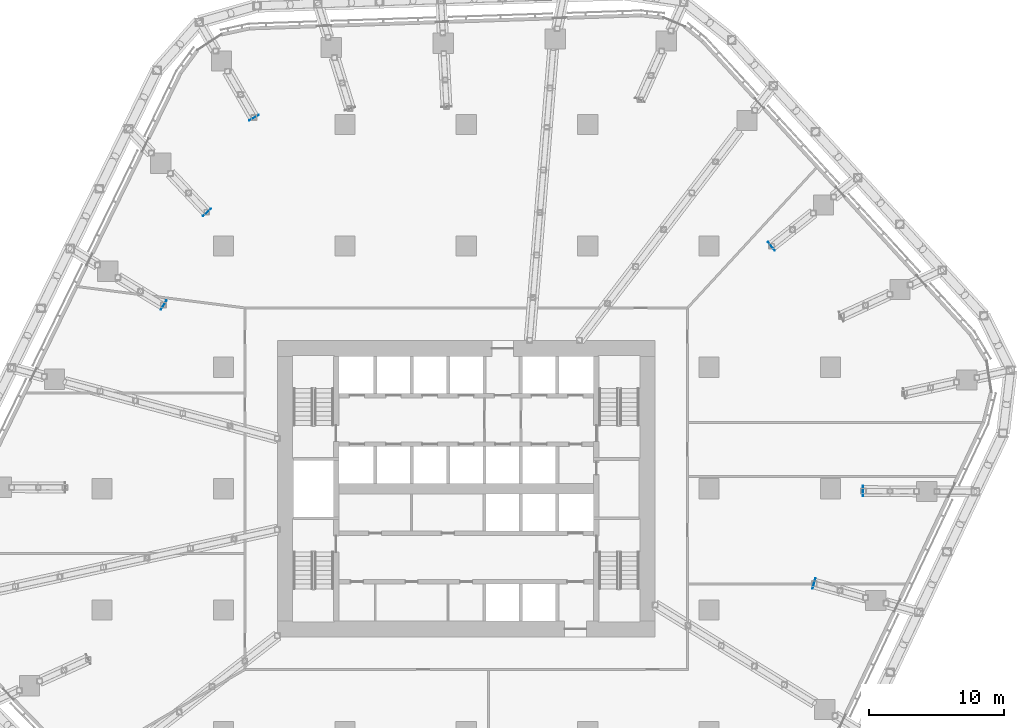
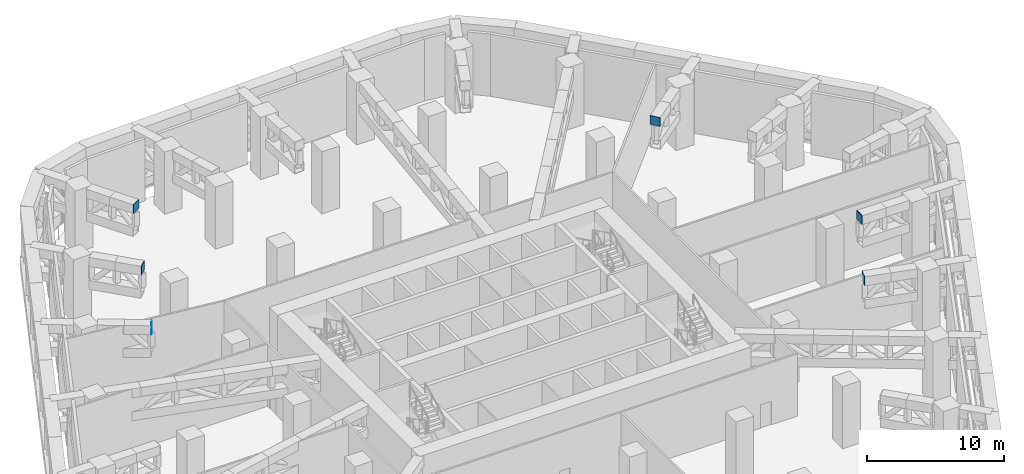
# One storey, part 22 of 38: 6 discrete accessories.
"""IFC4 building model written with IfcOpenShell, lengths in metres."""

import ifcopenshell
import ifcopenshell.guid

model = None  # the IFC model being written
_history = None  # IfcOwnerHistory: only IFC2X3 demands one
_inside = {}  # id of a spatial element -> (the spatial element, [elements in it])
_under = {}  # id of a project, library or spatial element -> (it, [spatial elements below it])
_declared = {}  # id of a project -> (the project, [libraries it declares])
_typed = {}  # id of a type object -> (the type object, [elements of that type])
_made_of = {}  # id of a material, layer set ... -> (it, [elements and type objects made of it])


def new_model(schema):
    """Start an empty IFC model of exactly this schema.

    Asked for "IFC4X3", IfcOpenShell would pick the latest addendum, in which some entities
    have other attributes; the version numbers below select the first issue.
    IFC2X3 requires an IfcOwnerHistory on every rooted entity: one is made here for all.
    """
    global model, _history
    if schema == "IFC4X3":
        model = ifcopenshell.file(schema_version=(4, 3, 0, 0))
    else:
        model = ifcopenshell.file(schema=schema)
    _inside.clear()
    _under.clear()
    _declared.clear()
    _typed.clear()
    _made_of.clear()
    _history = None
    if model.schema == "IFC2X3":
        org = make("IfcOrganization", Name="unknown")
        user = make(
            "IfcPersonAndOrganization",
            ThePerson=make("IfcPerson", FamilyName="unknown"),
            TheOrganization=org,
        )
        app = make(
            "IfcApplication",
            ApplicationDeveloper=org,
            Version="unknown",
            ApplicationFullName="unknown",
            ApplicationIdentifier="unknown",
        )
        _history = make(
            "IfcOwnerHistory",
            OwningUser=user,
            OwningApplication=app,
            ChangeAction="ADDED",
            CreationDate=0,
        )
    return model


def make(cls, **values):
    """One entity of the class cls with the attributes given. An attribute that is None is left unset."""
    return model.create_entity(
        cls, **{name: value for name, value in values.items() if value is not None}
    )


def rooted(cls, **values):
    """An entity with a GlobalId (a new one), such as an element, a storey or a relation."""
    return make(cls, GlobalId=ifcopenshell.guid.new(), OwnerHistory=_history, **values)


def si_unit(unit_type, name, prefix=None):
    """IfcSIUnit, for example si_unit("LENGTHUNIT", "METRE", prefix="MILLI")."""
    return make("IfcSIUnit", UnitType=unit_type, Prefix=prefix, Name=name)


def assignment(units):
    """IfcUnitAssignment: the units of a project."""
    return None if units is None else make("IfcUnitAssignment", Units=units)


def point(xyz):
    """IfcCartesianPoint."""
    return None if xyz is None else make("IfcCartesianPoint", Coordinates=xyz)


def direction(xyz):
    """IfcDirection."""
    return None if xyz is None else make("IfcDirection", DirectionRatios=xyz)


def frame(location, z_axis=None, x_axis=None):
    """IfcAxis2Placement3D, a coordinate frame: its origin and axes. An axis left out is left unset."""
    return make(
        "IfcAxis2Placement3D",
        Location=point(location),
        Axis=direction(z_axis),
        RefDirection=direction(x_axis),
    )


def frame_2d(location, x_axis=None):
    """IfcAxis2Placement2D, a coordinate frame in the plane: its origin and x axis."""
    return make(
        "IfcAxis2Placement2D", Location=point(location), RefDirection=direction(x_axis)
    )


def origin():
    """The frame at (0, 0, 0) with its axes left unset."""
    return frame((0.0, 0.0, 0.0))


def origin_2d():
    """The frame at (0, 0) in the plane with its x axis left unset."""
    return frame_2d((0.0, 0.0))


def place(relative_to, where):
    """IfcLocalPlacement: puts the frame where relative to a parent placement (None: the world)."""
    return make(
        "IfcLocalPlacement", PlacementRelTo=relative_to, RelativePlacement=where
    )


def context(
    kind, dimensions, precision=None, world=None, true_north=None, identifier=None
):
    """IfcGeometricRepresentationContext, for example the 3D "Model" context."""
    return make(
        "IfcGeometricRepresentationContext",
        ContextIdentifier=identifier,
        ContextType=kind,
        CoordinateSpaceDimension=dimensions,
        Precision=precision,
        WorldCoordinateSystem=world,
        TrueNorth=true_north,
    )


def subcontext(parent, identifier, kind, view, scale=None):
    """IfcGeometricRepresentationSubContext, for example "Body" below "Model"."""
    return make(
        "IfcGeometricRepresentationSubContext",
        ContextIdentifier=identifier,
        ContextType=kind,
        ParentContext=parent,
        TargetScale=scale,
        TargetView=view,
    )


def project(units=None, contexts=None):
    """IfcProject with its units and contexts."""
    return rooted(
        "IfcProject",
        Name="project",
        RepresentationContexts=contexts,
        UnitsInContext=assignment(units),
    )


def spatial(cls, under=None, at=None, **own):
    """A site, building, storey or space (cls), placed at a placement, below another one or the project."""
    s = rooted(cls, ObjectPlacement=at, **own)
    if under is not None:
        _under.setdefault(under.id(), (under, []))[1].append(s)
    return s


def profile(cls, at=None, kind="AREA", **sizes):
    """A parametric profile (cls). Its sizes go by their IFC names, for example OverallWidth=200.0."""
    return make(cls, ProfileType=kind, Position=at, **sizes)


def rectangle(**sizes):
    """IfcRectangleProfileDef."""
    return profile("IfcRectangleProfileDef", **sizes)


def extrude(swept, where, along, depth):
    """IfcExtrudedAreaSolid: the profile swept, set in the frame where, extruded along a direction by depth."""
    return make(
        "IfcExtrudedAreaSolid",
        SweptArea=swept,
        Position=where,
        ExtrudedDirection=direction(along),
        Depth=depth,
    )


def shape(context_of_items, identifier, shape_type, items):
    """IfcShapeRepresentation: the items that make up one representation, for example the "Body"."""
    return make(
        "IfcShapeRepresentation",
        ContextOfItems=context_of_items,
        RepresentationIdentifier=identifier,
        RepresentationType=shape_type,
        Items=items,
    )


def material(Name=None, Category=None):
    """IfcMaterial."""
    return make("IfcMaterial", Name=Name, Category=Category)


def made_of(thing, what):
    """Note that an element or type object is made of a material, layer set ...; save() writes the relation."""
    if what is not None:
        _made_of.setdefault(what.id(), (what, []))[1].append(thing)
    return thing


def type_object(cls, material=None, **own):
    """A type object (cls), such as IfcWallType, which elements share."""
    return made_of(rooted(cls, **own), material)


def element(
    cls,
    number,
    at=None,
    inside=None,
    cuts=None,
    type_object=None,
    material=None,
    context=None,
    identifier="Body",
    shape_type=None,
    held_by="IfcProductDefinitionShape",
    body=None,
    shapes=None,
    **own,
):
    """One element of the class cls, such as IfcWall. Its Tag is "e" and its number.

    at: its placement. inside: the storey or other place that contains it. cuts: it is an
    opening in that element (IfcRelVoidsElement). A single representation is given by context,
    identifier, shape_type and body (its items); several are given by shapes. held_by: the class
    of the entity that holds the representations. save() writes the other relations.
    """
    e = rooted(cls, Tag="e%d" % number, ObjectPlacement=at, **own)
    if body is not None:
        shapes = [shape(context, identifier, shape_type, body)]
    if shapes is not None:
        e.Representation = make(held_by, Representations=shapes)
    if inside is not None:
        _inside.setdefault(inside.id(), (inside, []))[1].append(e)
    if cuts is not None:
        rooted(
            "IfcRelVoidsElement", RelatingBuildingElement=cuts, RelatedOpeningElement=e
        )
    if type_object is not None:
        _typed.setdefault(type_object.id(), (type_object, []))[1].append(e)
    return made_of(e, material)


def aggregate(whole, parts):
    """IfcRelAggregates: a whole, such as a stair, and the parts it consists of."""
    return rooted("IfcRelAggregates", RelatingObject=whole, RelatedObjects=parts)


def save(model, path):
    """Write the relations noted so far, then the file.

    IfcRelAggregates (storeys below a building ...), IfcRelContainedInSpatialStructure (elements
    in a storey), IfcRelDefinesByType, IfcRelAssociatesMaterial and IfcRelDeclares: one each for
    every whole, place, type object, material and project.
    """
    for whole, parts in _under.values():
        aggregate(whole, parts)
    for where, things in _inside.values():
        rooted(
            "IfcRelContainedInSpatialStructure",
            RelatedElements=things,
            RelatingStructure=where,
        )
    for kind, things in _typed.values():
        rooted("IfcRelDefinesByType", RelatedObjects=things, RelatingType=kind)
    for what, things in _made_of.values():
        rooted("IfcRelAssociatesMaterial", RelatedObjects=things, RelatingMaterial=what)
    for by, libraries in _declared.values():
        rooted("IfcRelDeclares", RelatingContext=by, RelatedDefinitions=libraries)
    model.write(path)


model = new_model("IFC4")

# Units and contexts
model_context = context("Model", 3, precision=1e-05, world=origin(), true_north=direction((0.0, 1.0)))
body_context = subcontext(model_context, "Body", "Model", "MODEL_VIEW")
ifc_project = project(units=[si_unit("LENGTHUNIT", "METRE"), si_unit("AREAUNIT", "SQUARE_METRE"), si_unit("VOLUMEUNIT", "CUBIC_METRE"), si_unit("PLANEANGLEUNIT", "RADIAN"), si_unit("MASSUNIT", "GRAM", prefix="KILO")], contexts=[model_context])

# Site, building, storey
site_placement = place(None, origin())
site = spatial("IfcSite", under=ifc_project, at=site_placement, CompositionType="ELEMENT")
building_placement = place(site_placement, origin())
building = spatial("IfcBuilding", under=site, at=building_placement, Name="Dongbaek Canopy Tower", CompositionType="ELEMENT")
storey_placement = place(building_placement, frame((0.0, 0.0, 89.199951171875)))
storey = spatial("IfcBuildingStorey", under=building, at=storey_placement, Name="L18", CompositionType="ELEMENT", Elevation=89.199951171875)

# Discrete accessories
ifc_material = material(Name="Steel S355 end plate", Category="steel")
discrete_accessory_type = type_object("IfcDiscreteAccessoryType", Name="Chord end plate EP 800x800x40", PredefinedType="BRACKET", material=ifc_material)
for number, where, z_axis, x_axis, name in (
    (1, (-22.441162109375, 13.605224609375, 4.75), (0.0, 0.0, 1.0), (-0.8551227652, 0.518425555346, 0.0), "End plate TR18-12"),
    (2, (-19.226806640625, 20.480712890625, 4.75), (0.0, 0.0, 1.0), (-0.684436408784, 0.729072563145, 0.0), "End plate TR18-13"),
    (3, (-15.738037109375, 27.50341796875, 4.75), (0.0, 0.0, 1.0), (-0.49666041956, 0.867944945053, 0.0), "End plate TR18-14"),
    (4, (22.623046875, 17.964599609375, 4.75), (0.0, 0.0, 1.0), (0.783122886669, 0.621866982863, 0.0), "End plate TR18-20"),
    (5, (29.423095703125, -0.1767578125, 4.75), (0.0, 0.0, 1.0), (0.999981976451, -0.006003896556, 0.0), "End plate TR18-23"),
    (6, (25.780029296875, -7.0341796875, 4.75), (0.0, 0.0, 1.0), (0.96473175411, -0.263234957047, 0.0), "End plate TR18-24"),
):
    element("IfcDiscreteAccessory", number, at=place(storey_placement, frame(where, z_axis=z_axis, x_axis=x_axis)), inside=storey, type_object=discrete_accessory_type, Name=name, PredefinedType="BRACKET", context=body_context, shape_type="SweptSolid", body=[
        extrude(rectangle(XDim=0.0400390625, YDim=0.800048828125, at=origin_2d()), origin(), (0.0, 0.0, 1.0), 0.800048828125),
    ])

save(model, "model.ifc")
